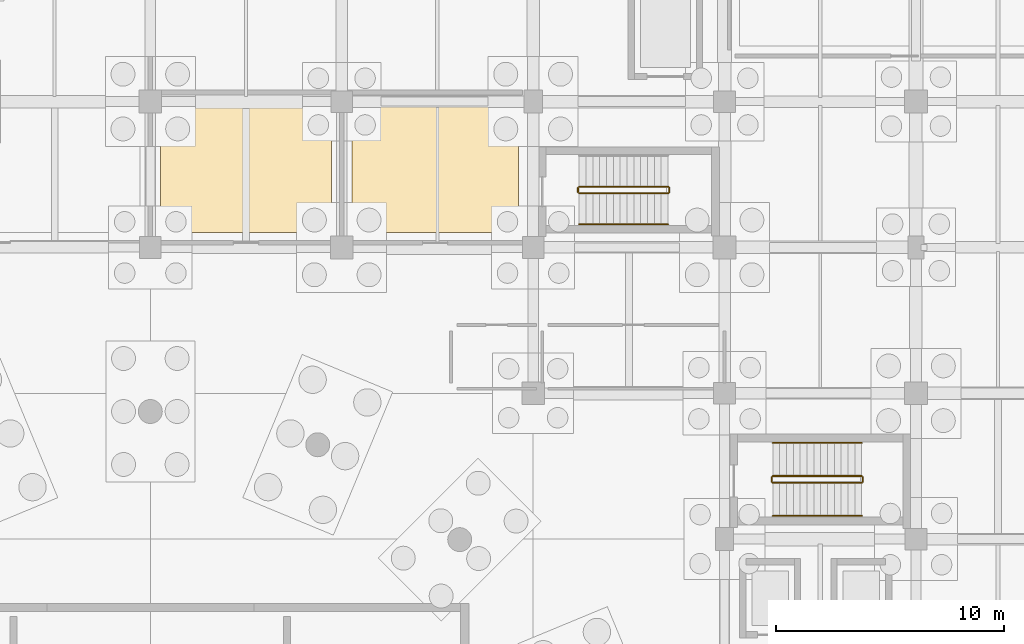
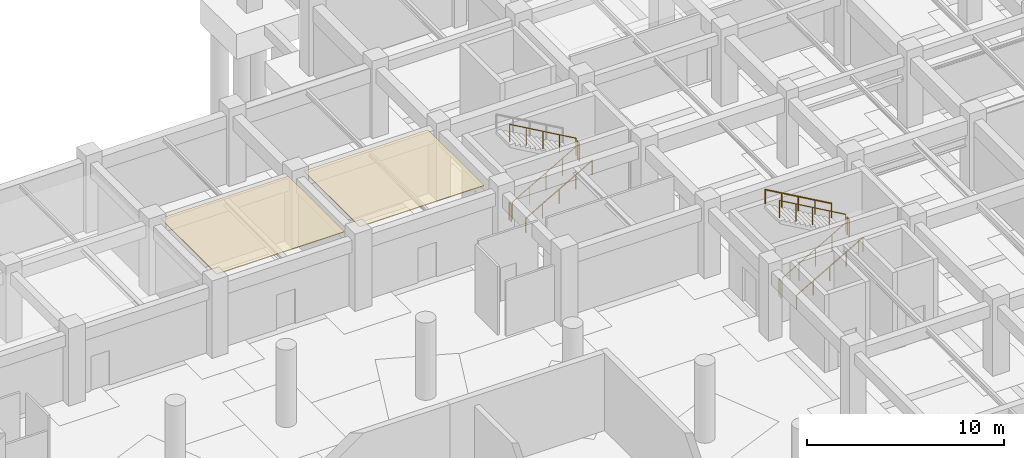
# One storey, part 42 of 44: 11 railings, 2 coverings.
"""IFC4 building model written with IfcOpenShell, lengths in metres."""

from ifc_helpers import new_model, si_unit, direction, frame, origin, origin_2d, place, context, subcontext, project, spatial, polyline, circle, outline, extrude, material, layer, layer_set, type_object, element, save


model = new_model("IFC4")

# Units and contexts
model_context = context("Model", 3, precision=1e-05, world=origin(), true_north=direction((0.0, 1.0)))
body_context = subcontext(model_context, "Body", "Model", "MODEL_VIEW")
ifc_project = project(units=[si_unit("LENGTHUNIT", "METRE"), si_unit("AREAUNIT", "SQUARE_METRE"), si_unit("VOLUMEUNIT", "CUBIC_METRE"), si_unit("PLANEANGLEUNIT", "RADIAN"), si_unit("MASSUNIT", "GRAM", prefix="KILO")], contexts=[model_context])

# Site, building, storey
site_placement = place(None, origin())
site = spatial("IfcSite", under=ifc_project, at=site_placement, CompositionType="ELEMENT")
building_placement = place(site_placement, origin())
building = spatial("IfcBuilding", under=site, at=building_placement, Name="Korsvaeld Concert Hall", CompositionType="ELEMENT")
storey_placement = place(building_placement, frame((0.0, 0.0, -4.800048828125)))
storey = spatial("IfcBuildingStorey", under=building, at=storey_placement, Name="B1", CompositionType="ELEMENT", Elevation=-4.800048828125)

# Coverings
ifc_material_1 = material(Name="Suspended sculpted European oak acoustic ceiling")
ifc_layer = layer(ifc_material_1, 0.044921875)
ifc_layer_set = layer_set([ifc_layer], Name="Suspended sculpted European oak acoustic ceiling")
covering_type = type_object("IfcCoveringType", Name="COV-CEIL-OAK", PredefinedType="CEILING", material=ifc_layer_set)
covering_1_placement = place(storey_placement, frame((0.0, 0.0, 4.205078125)))
element("IfcCovering", 1, at=covering_1_placement, inside=storey, type_object=covering_type, Name="Acoustic oak reflector ceiling B1-09", PredefinedType="CEILING", context=body_context, shape_type="SweptSolid", body=[
    extrude(outline(polyline([(91.949951171875, 95.949951171875), (91.949951171875, 90.25), (84.449951171875, 90.25), (84.449951171875, 95.949951171875), (91.949951171875, 95.949951171875)])), origin(), (0.0, 0.0, 1.0), 0.044921875),
])
covering_2_placement = place(storey_placement, frame((0.0, 0.0, 4.205078125)))
element("IfcCovering", 2, at=covering_2_placement, inside=storey, type_object=covering_type, Name="Acoustic oak reflector ceiling B1-10", PredefinedType="CEILING", context=body_context, shape_type="SweptSolid", body=[
    extrude(outline(polyline([(100.14990234375, 95.949951171875), (100.14990234375, 90.25), (92.85009765625, 90.25), (92.85009765625, 95.949951171875), (100.14990234375, 95.949951171875)])), origin(), (0.0, 0.0, 1.0), 0.044921875),
])

# Railings
ifc_material_2 = material(Name="Powder-coated steel and bronze stair guardrail", Category="steel")
railing_type_1 = type_object("IfcRailingType", Name="RL-STAIR-GUARD-120", PredefinedType="GUARDRAIL", material=ifc_material_2)
railing_1_placement = place(storey_placement, frame((111.320068359375, 79.27001953125, 0.17138671875)))
element("IfcRailing", 3, at=railing_1_placement, inside=storey, type_object=railing_type_1, Name="B1 ST-K2 stair guard 1", PredefinedType="GUARDRAIL", context=body_context, shape_type="SweptSolid", body=[
    extrude(circle(Radius=0.02392578125, at=origin_2d()), frame((0.0, 0.0, 1.076171875), z_axis=(0.868219727965, 0.0, 0.496179910892), x_axis=(0.0, 1.0, 0.0)), (0.0, 0.0, 1.0), 4.491943359375),
    extrude(circle(Radius=0.02099609375, at=origin_2d()), origin(), (0.0, 0.0, 1.0), 1.052001953125),
    extrude(circle(Radius=0.02099609375, at=origin_2d()), frame((0.97509765625, 0.0, 0.55712890625)), (0.0, 0.0, 1.0), 1.052001953125),
    extrude(circle(Radius=0.02099609375, at=origin_2d()), frame((1.949951171875, 0.0, 1.1142578125)), (0.0, 0.0, 1.0), 1.052001953125),
    extrude(circle(Radius=0.02099609375, at=origin_2d()), frame((2.9248046875, 0.0, 1.671630859375)), (0.0, 0.0, 1.0), 1.052001953125),
    extrude(circle(Radius=0.02099609375, at=origin_2d()), frame((3.89990234375, 0.0, 2.228759765625)), (0.0, 0.0, 1.0), 1.052001953125),
])
railing_2_placement = place(storey_placement, frame((115.27001953125, 79.320068359375, 2.400146484375)))
element("IfcRailing", 4, at=railing_2_placement, inside=storey, type_object=railing_type_1, Name="B1 ST-K2 stair guard 2", PredefinedType="GUARDRAIL", context=body_context, shape_type="SweptSolid", body=[
    extrude(circle(Radius=0.02392578125, at=origin_2d()), frame((0.0, 0.0, 1.076171875), z_axis=(0.0, 1.0, 0.0), x_axis=(-1.0, 0.0, 0.0)), (0.0, 0.0, 1.0), 0.199951171875),
    extrude(circle(Radius=0.02099609375, at=origin_2d()), origin(), (0.0, 0.0, 1.0), 1.052001953125),
    extrude(circle(Radius=0.02099609375, at=origin_2d()), frame((0.0, 0.199951171875, 0.0)), (0.0, 0.0, 1.0), 1.052001953125),
])
railing_3_placement = place(storey_placement, frame((115.219970703125, 79.570068359375, 2.571533203125)))
element("IfcRailing", 5, at=railing_3_placement, inside=storey, type_object=railing_type_1, Name="B1 ST-K2 stair guard 3", PredefinedType="GUARDRAIL", context=body_context, shape_type="SweptSolid", body=[
    extrude(circle(Radius=0.02392578125, at=origin_2d()), frame((0.0, 0.0, 1.076171875), z_axis=(-0.868243142124, 0.0, 0.496138938357), x_axis=(0.0, -1.0, 0.0)), (0.0, 0.0, 1.0), 4.49169921875),
    extrude(circle(Radius=0.02099609375, at=origin_2d()), origin(), (0.0, 0.0, 1.0), 1.052001953125),
    extrude(circle(Radius=0.02099609375, at=origin_2d()), frame((-0.97509765625, 0.0, 0.55712890625)), (0.0, 0.0, 1.0), 1.052001953125),
    extrude(circle(Radius=0.02099609375, at=origin_2d()), frame((-1.949951171875, 0.0, 1.1142578125)), (0.0, 0.0, 1.0), 1.052001953125),
    extrude(circle(Radius=0.02099609375, at=origin_2d()), frame((-2.9248046875, 0.0, 1.67138671875)), (0.0, 0.0, 1.0), 1.052001953125),
    extrude(circle(Radius=0.02099609375, at=origin_2d()), frame((-3.89990234375, 0.0, 2.228515625)), (0.0, 0.0, 1.0), 1.052001953125),
])
railing_4_placement = place(storey_placement, frame((111.27001953125, 79.320068359375, 0.0)))
element("IfcRailing", 6, at=railing_4_placement, inside=storey, type_object=railing_type_1, Name="B1 ST-K2 stair guard 4", PredefinedType="GUARDRAIL", context=body_context, shape_type="SweptSolid", body=[
    extrude(circle(Radius=0.02392578125, at=origin_2d()), frame((0.0, 0.0, 1.076171875), z_axis=(0.0, 1.0, 0.0), x_axis=(-1.0, 0.0, 0.0)), (0.0, 0.0, 1.0), 0.199951171875),
    extrude(circle(Radius=0.02099609375, at=origin_2d()), origin(), (0.0, 0.0, 1.0), 1.052001953125),
    extrude(circle(Radius=0.02099609375, at=origin_2d()), frame((0.0, 0.199951171875, 0.0)), (0.0, 0.0, 1.0), 1.052001953125),
])
railing_5_placement = place(storey_placement, frame((102.820068359375, 91.969970703125, 0.17138671875)))
element("IfcRailing", 7, at=railing_5_placement, inside=storey, type_object=railing_type_1, Name="B1 ST-K6 stair guard 1", PredefinedType="GUARDRAIL", context=body_context, shape_type="SweptSolid", body=[
    extrude(circle(Radius=0.02392578125, at=origin_2d()), frame((0.0, 0.0, 1.076171875), z_axis=(0.868219727965, 0.0, 0.496179910892), x_axis=(0.0, 1.0, 0.0)), (0.0, 0.0, 1.0), 4.491943359375),
    extrude(circle(Radius=0.02099609375, at=origin_2d()), origin(), (0.0, 0.0, 1.0), 1.052001953125),
    extrude(circle(Radius=0.02099609375, at=origin_2d()), frame((0.97509765625, 0.0, 0.55712890625)), (0.0, 0.0, 1.0), 1.052001953125),
    extrude(circle(Radius=0.02099609375, at=origin_2d()), frame((1.949951171875, 0.0, 1.1142578125)), (0.0, 0.0, 1.0), 1.052001953125),
    extrude(circle(Radius=0.02099609375, at=origin_2d()), frame((2.9248046875, 0.0, 1.671630859375)), (0.0, 0.0, 1.0), 1.052001953125),
    extrude(circle(Radius=0.02099609375, at=origin_2d()), frame((3.89990234375, 0.0, 2.228759765625)), (0.0, 0.0, 1.0), 1.052001953125),
])
railing_6_placement = place(storey_placement, frame((106.77001953125, 92.02001953125, 2.400146484375)))
element("IfcRailing", 8, at=railing_6_placement, inside=storey, type_object=railing_type_1, Name="B1 ST-K6 stair guard 2", PredefinedType="GUARDRAIL", context=body_context, shape_type="SweptSolid", body=[
    extrude(circle(Radius=0.02392578125, at=origin_2d()), frame((0.0, 0.0, 1.076171875), z_axis=(0.0, 1.0, 0.0), x_axis=(-1.0, 0.0, 0.0)), (0.0, 0.0, 1.0), 0.199951171875),
    extrude(circle(Radius=0.02099609375, at=origin_2d()), origin(), (0.0, 0.0, 1.0), 1.052001953125),
    extrude(circle(Radius=0.02099609375, at=origin_2d()), frame((0.0, 0.199951171875, 0.0)), (0.0, 0.0, 1.0), 1.052001953125),
])
railing_7_placement = place(storey_placement, frame((106.719970703125, 92.27001953125, 2.571533203125)))
element("IfcRailing", 9, at=railing_7_placement, inside=storey, type_object=railing_type_1, Name="B1 ST-K6 stair guard 3", PredefinedType="GUARDRAIL", context=body_context, shape_type="SweptSolid", body=[
    extrude(circle(Radius=0.02392578125, at=origin_2d()), frame((0.0, 0.0, 1.076171875), z_axis=(-0.868243142124, 0.0, 0.496138938357), x_axis=(0.0, -1.0, 0.0)), (0.0, 0.0, 1.0), 4.49169921875),
    extrude(circle(Radius=0.02099609375, at=origin_2d()), origin(), (0.0, 0.0, 1.0), 1.052001953125),
    extrude(circle(Radius=0.02099609375, at=origin_2d()), frame((-0.97509765625, 0.0, 0.55712890625)), (0.0, 0.0, 1.0), 1.052001953125),
    extrude(circle(Radius=0.02099609375, at=origin_2d()), frame((-1.949951171875, 0.0, 1.1142578125)), (0.0, 0.0, 1.0), 1.052001953125),
    extrude(circle(Radius=0.02099609375, at=origin_2d()), frame((-2.9248046875, 0.0, 1.67138671875)), (0.0, 0.0, 1.0), 1.052001953125),
    extrude(circle(Radius=0.02099609375, at=origin_2d()), frame((-3.89990234375, 0.0, 2.228515625)), (0.0, 0.0, 1.0), 1.052001953125),
])
railing_8_placement = place(storey_placement, frame((102.77001953125, 92.02001953125, 0.0)))
element("IfcRailing", 10, at=railing_8_placement, inside=storey, type_object=railing_type_1, Name="B1 ST-K6 stair guard 4", PredefinedType="GUARDRAIL", context=body_context, shape_type="SweptSolid", body=[
    extrude(circle(Radius=0.02392578125, at=origin_2d()), frame((0.0, 0.0, 1.076171875), z_axis=(0.0, 1.0, 0.0), x_axis=(-1.0, 0.0, 0.0)), (0.0, 0.0, 1.0), 0.199951171875),
    extrude(circle(Radius=0.02099609375, at=origin_2d()), origin(), (0.0, 0.0, 1.0), 1.052001953125),
    extrude(circle(Radius=0.02099609375, at=origin_2d()), frame((0.0, 0.199951171875, 0.0)), (0.0, 0.0, 1.0), 1.052001953125),
])
ifc_material_3 = material(Name="European oak and bronze stair handrail")
railing_type_2 = type_object("IfcRailingType", Name="RL-STAIR-HAND-90", PredefinedType="HANDRAIL", material=ifc_material_3)
railing_9_placement = place(storey_placement, frame((111.320068359375, 77.820068359375, 0.17138671875)))
element("IfcRailing", 11, at=railing_9_placement, inside=storey, type_object=railing_type_2, Name="B1 ST-K2 stair handrail 1", PredefinedType="HANDRAIL", context=body_context, shape_type="SweptSolid", body=[
    extrude(circle(Radius=0.02392578125, at=origin_2d()), frame((0.0, 0.0, 0.8759765625), z_axis=(0.868219727965, 0.0, 0.496179910892), x_axis=(0.0, 1.0, 0.0)), (0.0, 0.0, 1.0), 4.491943359375),
    extrude(circle(Radius=0.02099609375, at=origin_2d()), origin(), (0.0, 0.0, 1.0), 0.851806640625),
    extrude(circle(Radius=0.02099609375, at=origin_2d()), frame((0.97509765625, 0.0, 0.55712890625)), (0.0, 0.0, 1.0), 0.851806640625),
    extrude(circle(Radius=0.02099609375, at=origin_2d()), frame((1.949951171875, 0.0, 1.1142578125)), (0.0, 0.0, 1.0), 0.851806640625),
    extrude(circle(Radius=0.02099609375, at=origin_2d()), frame((2.9248046875, 0.0, 1.671630859375)), (0.0, 0.0, 1.0), 0.851806640625),
    extrude(circle(Radius=0.02099609375, at=origin_2d()), frame((3.89990234375, 0.0, 2.228759765625)), (0.0, 0.0, 1.0), 0.851806640625),
])
railing_10_placement = place(storey_placement, frame((115.219970703125, 81.02001953125, 2.571533203125)))
element("IfcRailing", 12, at=railing_10_placement, inside=storey, type_object=railing_type_2, Name="B1 ST-K2 stair handrail 2", PredefinedType="HANDRAIL", context=body_context, shape_type="SweptSolid", body=[
    extrude(circle(Radius=0.02392578125, at=origin_2d()), frame((0.0, 0.0, 0.8759765625), z_axis=(-0.868243142124, 0.0, 0.496138938357), x_axis=(0.0, -1.0, 0.0)), (0.0, 0.0, 1.0), 4.49169921875),
    extrude(circle(Radius=0.02099609375, at=origin_2d()), origin(), (0.0, 0.0, 1.0), 0.851806640625),
    extrude(circle(Radius=0.02099609375, at=origin_2d()), frame((-0.97509765625, 0.0, 0.55712890625)), (0.0, 0.0, 1.0), 0.851806640625),
    extrude(circle(Radius=0.02099609375, at=origin_2d()), frame((-1.949951171875, 0.0, 1.1142578125)), (0.0, 0.0, 1.0), 0.851806640625),
    extrude(circle(Radius=0.02099609375, at=origin_2d()), frame((-2.9248046875, 0.0, 1.67138671875)), (0.0, 0.0, 1.0), 0.851806640625),
    extrude(circle(Radius=0.02099609375, at=origin_2d()), frame((-3.89990234375, 0.0, 2.228515625)), (0.0, 0.0, 1.0), 0.851806640625),
])
railing_11_placement = place(storey_placement, frame((102.820068359375, 90.6201171875, 0.17138671875)))
element("IfcRailing", 13, at=railing_11_placement, inside=storey, type_object=railing_type_2, Name="B1 ST-K6 stair handrail 1", PredefinedType="HANDRAIL", context=body_context, shape_type="SweptSolid", body=[
    extrude(circle(Radius=0.02392578125, at=origin_2d()), frame((0.0, 0.0, 0.8759765625), z_axis=(0.868219727965, 0.0, 0.496179910892), x_axis=(0.0, 1.0, 0.0)), (0.0, 0.0, 1.0), 4.491943359375),
    extrude(circle(Radius=0.02099609375, at=origin_2d()), origin(), (0.0, 0.0, 1.0), 0.851806640625),
    extrude(circle(Radius=0.02099609375, at=origin_2d()), frame((0.97509765625, 0.0, 0.55712890625)), (0.0, 0.0, 1.0), 0.851806640625),
    extrude(circle(Radius=0.02099609375, at=origin_2d()), frame((1.949951171875, 0.0, 1.1142578125)), (0.0, 0.0, 1.0), 0.851806640625),
    extrude(circle(Radius=0.02099609375, at=origin_2d()), frame((2.9248046875, 0.0, 1.671630859375)), (0.0, 0.0, 1.0), 0.851806640625),
    extrude(circle(Radius=0.02099609375, at=origin_2d()), frame((3.89990234375, 0.0, 2.228759765625)), (0.0, 0.0, 1.0), 0.851806640625),
])

save(model, "model.ifc")
